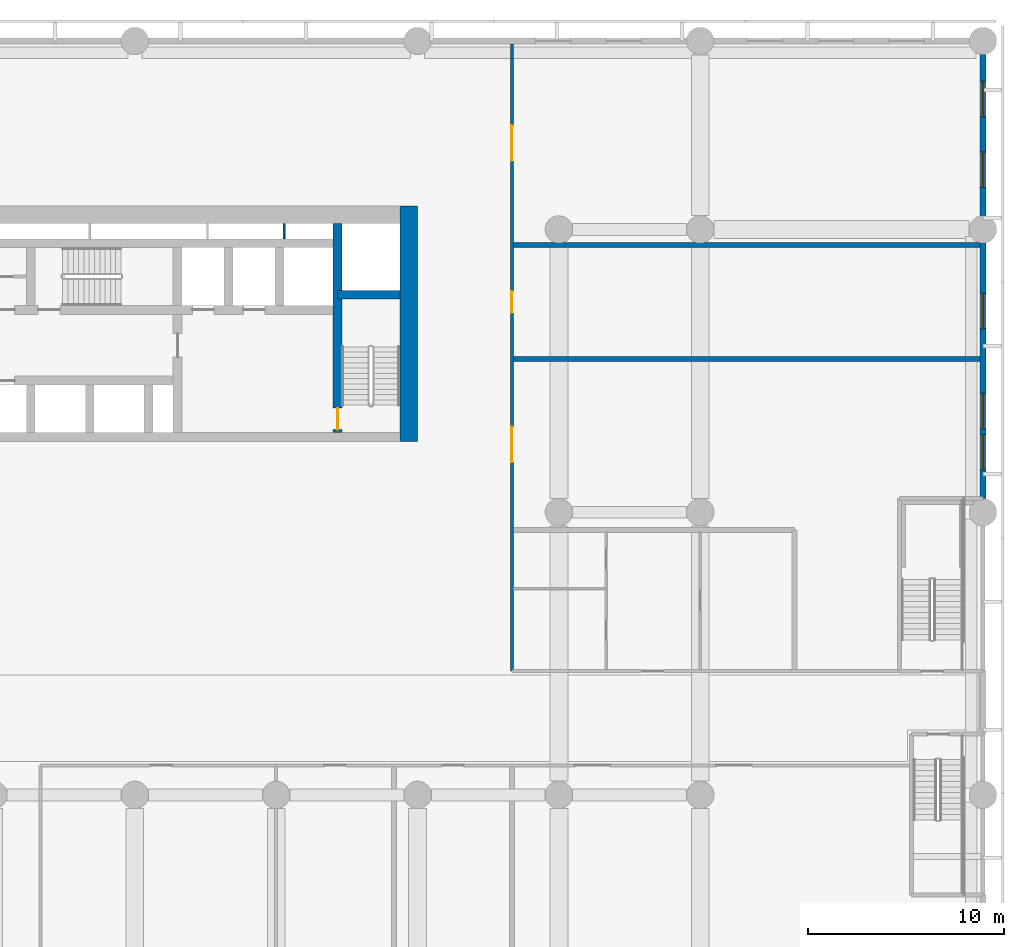
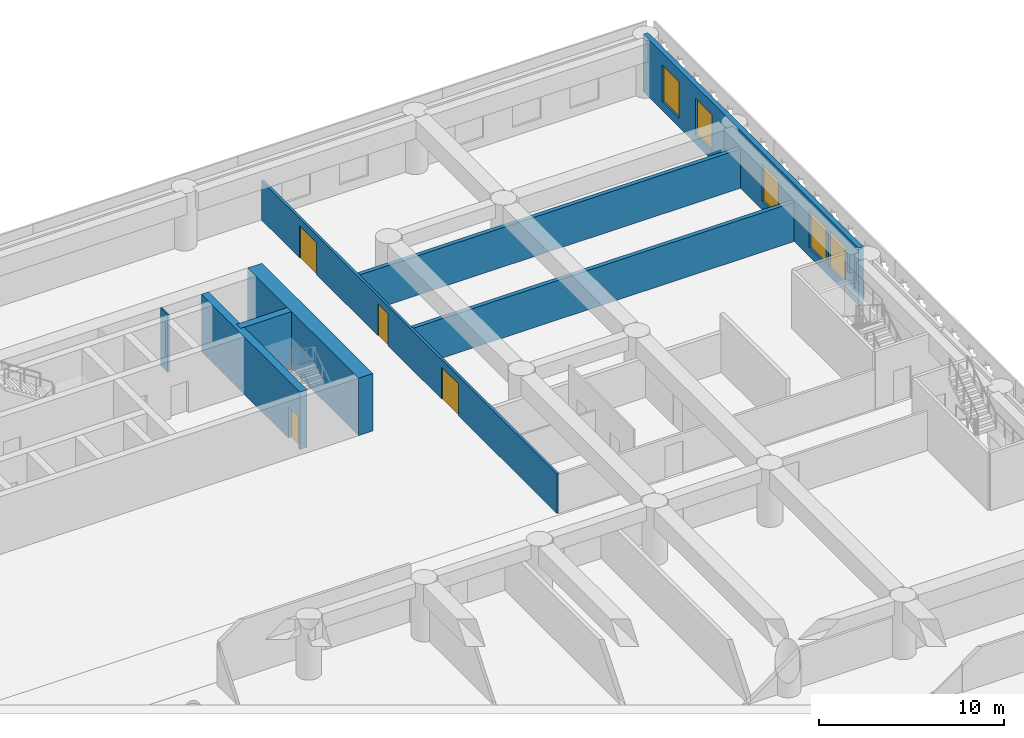
# One storey, part 9 of 23: 8 walls, 5 windows, 4 doors, 9 openings.
"""IFC4 building model written with IfcOpenShell, lengths in metres."""

from ifc_helpers import new_model, si_unit, direction, frame, frame_2d, origin, place, context, subcontext, project, spatial, rectangle, extrude, material, layer, layer_set, type_object, element, fill, save


model = new_model("IFC4")

# Units and contexts
model_context = context("Model", 3, precision=1e-05, world=origin(), true_north=direction((0.0, 1.0)))
body_context = subcontext(model_context, "Body", "Model", "MODEL_VIEW")
ifc_project = project(units=[si_unit("LENGTHUNIT", "METRE"), si_unit("AREAUNIT", "SQUARE_METRE"), si_unit("VOLUMEUNIT", "CUBIC_METRE"), si_unit("PLANEANGLEUNIT", "RADIAN"), si_unit("MASSUNIT", "GRAM", prefix="KILO")], contexts=[model_context])

# Site, building, storey
site_placement = place(None, origin())
site = spatial("IfcSite", under=ifc_project, at=site_placement, CompositionType="ELEMENT")
building_placement = place(site_placement, origin())
building = spatial("IfcBuilding", under=site, at=building_placement, Name="Saffron Iwan Residences", CompositionType="ELEMENT")
storey_placement = place(building_placement, frame((0.0, 0.0, 17.39990234375)))
storey = spatial("IfcBuildingStorey", under=building, at=storey_placement, Name="L03", CompositionType="ELEMENT", Elevation=17.39990234375)

# Wall, openings, doors
ifc_material_1 = material(Name="Concrete blockwork", Category="masonry")
ifc_layer_1 = layer(ifc_material_1, 0.14990234375)
ifc_layer_set_1 = layer_set([ifc_layer_1], Name="Concrete blockwork")
wall_type_1 = type_object("IfcWallType", Name="Blockwork partition 150", PredefinedType="PARTITIONING", material=ifc_layer_set_1)
wall_1_placement = place(storey_placement, frame((76.800048828125, 54.300048828125, 0.0), z_axis=(0.0, 0.0, 1.0), x_axis=(0.0, 1.0, 0.0)))
wall_1 = element("IfcWall", 1, at=wall_1_placement, inside=storey, type_object=wall_type_1, Name="W-L03-041", PredefinedType="PARTITIONING", context=body_context, shape_type="SweptSolid", body=[
    extrude(rectangle(XDim=31.949951171875, YDim=0.14990234375, at=frame_2d((15.97509765625, 0.0))), origin(), (0.0, 0.0, 1.0), 2.60009765625),
])
opening_1_placement = place(wall_1_placement, frame((10.64990234375, 0.0, 0.0)))
opening_1 = element("IfcOpeningElement", 2, at=opening_1_placement, cuts=wall_1, Name="Opening L03.19", PredefinedType="OPENING", context=body_context, shape_type="SweptSolid", body=[
    extrude(rectangle(XDim=1.800048828125, YDim=2.10009765625, at=frame_2d((0.89990234375, 1.050048828125))), frame((0.0, 0.0849609375, 0.0), z_axis=(0.0, -1.0, 0.0), x_axis=(1.0, 0.0, 0.0)), (0.0, 0.0, 1.0), 0.169921875),
])
opening_2_placement = place(wall_1_placement, frame((18.25, 0.0, 0.0)))
opening_2 = element("IfcOpeningElement", 3, at=opening_2_placement, cuts=wall_1, Name="Opening L03.20", PredefinedType="OPENING", context=body_context, shape_type="SweptSolid", body=[
    extrude(rectangle(XDim=1.10009765625, YDim=2.10009765625, at=frame_2d((0.550048828125, 1.050048828125))), frame((0.0, 0.0849609375, 0.0), z_axis=(0.0, -1.0, 0.0), x_axis=(1.0, 0.0, 0.0)), (0.0, 0.0, 1.0), 0.169921875),
])
opening_3_placement = place(wall_1_placement, frame((26.0, 0.0, 0.0)))
opening_3 = element("IfcOpeningElement", 4, at=opening_3_placement, cuts=wall_1, Name="Opening L03.21", PredefinedType="OPENING", context=body_context, shape_type="SweptSolid", body=[
    extrude(rectangle(XDim=1.800048828125, YDim=2.10009765625, at=frame_2d((0.89990234375, 1.050048828125))), frame((0.0, 0.0849609375, 0.0), z_axis=(0.0, -1.0, 0.0), x_axis=(1.0, 0.0, 0.0)), (0.0, 0.0, 1.0), 0.169921875),
])
ifc_material_2 = material(Name="Timber", Category="wood")
door_type_1 = type_object("IfcDoorType", Name="Door 1100x2100", OperationType="NOTDEFINED", PredefinedType="DOOR", material=ifc_material_2)
door_1_placement = place(opening_2_placement, origin())
door_1 = element("IfcDoor", 5, at=door_1_placement, inside=storey, type_object=door_type_1, Name="D-L03-020", OperationType="SINGLE_SWING_RIGHT", OverallHeight=2.10009765625, OverallWidth=1.10009765625, PredefinedType="DOOR", context=body_context, shape_type="SweptSolid", body=[
    extrude(rectangle(XDim=1.10009765625, YDim=2.10009765625, at=frame_2d((0.550048828125, 1.050048828125))), frame((0.0, 0.02490234375, 0.0), z_axis=(0.0, -1.0, 0.0), x_axis=(1.0, 0.0, 0.0)), (0.0, 0.0, 1.0), 0.050048828125),
])
fill(opening_2, door_1)
door_type_2 = type_object("IfcDoorType", Name="Door 1800x2100", OperationType="DOUBLE_DOOR_SINGLE_SWING", PredefinedType="DOOR", material=ifc_material_2)
door_2_placement = place(opening_1_placement, origin())
door_2 = element("IfcDoor", 6, at=door_2_placement, inside=storey, type_object=door_type_2, Name="D-L03-019", OperationType="DOUBLE_DOOR_SINGLE_SWING", OverallHeight=2.10009765625, OverallWidth=1.800048828125, PredefinedType="DOOR", context=body_context, shape_type="SweptSolid", body=[
    extrude(rectangle(XDim=1.800048828125, YDim=2.10009765625, at=frame_2d((0.89990234375, 1.050048828125))), frame((0.0, 0.02490234375, 0.0), z_axis=(0.0, -1.0, 0.0), x_axis=(1.0, 0.0, 0.0)), (0.0, 0.0, 1.0), 0.050048828125),
])
fill(opening_1, door_2)
door_3_placement = place(opening_3_placement, origin())
door_3 = element("IfcDoor", 7, at=door_3_placement, inside=storey, type_object=door_type_2, Name="D-L03-021", OperationType="DOUBLE_DOOR_SINGLE_SWING", OverallHeight=2.10009765625, OverallWidth=1.800048828125, PredefinedType="DOOR", context=body_context, shape_type="SweptSolid", body=[
    extrude(rectangle(XDim=1.800048828125, YDim=2.10009765625, at=frame_2d((0.89990234375, 1.050048828125))), frame((0.0, 0.02490234375, 0.0), z_axis=(0.0, -1.0, 0.0), x_axis=(1.0, 0.0, 0.0)), (0.0, 0.0, 1.0), 0.050048828125),
])
fill(opening_3, door_3)

# Walls
ifc_material_3 = material(Name="Concrete C40/50", Category="concrete")
ifc_layer_2 = layer(ifc_material_3, 0.25)
ifc_layer_set_2 = layer_set([ifc_layer_2], Name="Concrete C40/50")
wall_type_2 = type_object("IfcWallType", Name="Fire compartment wall 250", PredefinedType="SOLIDWALL", material=ifc_layer_set_2)
for number, where, z_axis, x_axis, name in (
    (8, (76.875, 70.199951171875, 0.0), (0.0, 0.0, 1.0), (1.0, 0.0, 0.0), "W-L03-022"),
    (9, (76.875, 76.0, 0.0), (0.0, 0.0, 1.0), (1.0, 0.0, 0.0), "W-L03-023"),
):
    element("IfcWall", number, at=place(storey_placement, frame(where, z_axis=z_axis, x_axis=x_axis)), inside=storey, type_object=wall_type_2, Name=name, PredefinedType="SOLIDWALL", context=body_context, shape_type="SweptSolid", body=[
        extrude(rectangle(XDim=23.77490234375, YDim=0.25, at=frame_2d((11.887451171875, 0.0))), origin(), (0.0, 0.0, 1.0), 2.60009765625),
    ])

# Wall, openings, windows
ifc_material_4 = material(Name="Precast concrete C40/50", Category="concrete")
ifc_layer_3 = layer(ifc_material_4, 0.300048828125)
ifc_layer_set_3 = layer_set([ifc_layer_3], Name="Precast concrete C40/50")
wall_type_3 = type_object("IfcWallType", Name="Podium external wall 300", PredefinedType="SOLIDWALL", material=ifc_layer_set_3)
wall_2_placement = place(storey_placement, frame((100.800048828125, 63.10009765625, 0.0), z_axis=(0.0, 0.0, 1.0), x_axis=(0.0, 1.0, 0.0)))
wall_2 = element("IfcWall", 10, at=wall_2_placement, inside=storey, type_object=wall_type_3, Name="W-L03-050", PredefinedType="SOLIDWALL", context=body_context, shape_type="SweptSolid", body=[
    extrude(rectangle(XDim=23.2998046875, YDim=0.300048828125, at=frame_2d((11.64990234375, 0.0))), origin(), (0.0, 0.0, 1.0), 3.800048828125),
])
opening_4_placement = place(wall_2_placement, frame((1.449951171875, 0.0, 0.60009765625)))
opening_4 = element("IfcOpeningElement", 11, at=opening_4_placement, cuts=wall_2, Name="Opening W7", PredefinedType="OPENING", context=body_context, shape_type="SweptSolid", body=[
    extrude(rectangle(XDim=1.800048828125, YDim=2.39990234375, at=frame_2d((0.89990234375, 1.199951171875))), frame((0.0, 0.16015625, 0.0), z_axis=(0.0, -1.0, 0.0), x_axis=(1.0, 0.0, 0.0)), (0.0, 0.0, 1.0), 0.320068359375),
])
opening_5_placement = place(wall_2_placement, frame((3.550048828125, 0.0, 0.60009765625)))
opening_5 = element("IfcOpeningElement", 12, at=opening_5_placement, cuts=wall_2, Name="Opening W7", PredefinedType="OPENING", context=body_context, shape_type="SweptSolid", body=[
    extrude(rectangle(XDim=1.800048828125, YDim=2.39990234375, at=frame_2d((0.89990234375, 1.199951171875))), frame((0.0, 0.16015625, 0.0), z_axis=(0.0, -1.0, 0.0), x_axis=(1.0, 0.0, 0.0)), (0.0, 0.0, 1.0), 0.320068359375),
])
opening_6_placement = place(wall_2_placement, frame((8.64990234375, 0.0, 0.60009765625)))
opening_6 = element("IfcOpeningElement", 13, at=opening_6_placement, cuts=wall_2, Name="Opening W7", PredefinedType="OPENING", context=body_context, shape_type="SweptSolid", body=[
    extrude(rectangle(XDim=1.800048828125, YDim=2.39990234375, at=frame_2d((0.89990234375, 1.199951171875))), frame((0.0, 0.16015625, 0.0), z_axis=(0.0, -1.0, 0.0), x_axis=(1.0, 0.0, 0.0)), (0.0, 0.0, 1.0), 0.320068359375),
])
opening_7_placement = place(wall_2_placement, frame((15.85009765625, 0.0, 0.60009765625)))
opening_7 = element("IfcOpeningElement", 14, at=opening_7_placement, cuts=wall_2, Name="Opening W7", PredefinedType="OPENING", context=body_context, shape_type="SweptSolid", body=[
    extrude(rectangle(XDim=1.800048828125, YDim=2.39990234375, at=frame_2d((0.89990234375, 1.199951171875))), frame((0.0, 0.16015625, 0.0), z_axis=(0.0, -1.0, 0.0), x_axis=(1.0, 0.0, 0.0)), (0.0, 0.0, 1.0), 0.320068359375),
])
opening_8_placement = place(wall_2_placement, frame((19.449951171875, 0.0, 0.60009765625)))
opening_8 = element("IfcOpeningElement", 15, at=opening_8_placement, cuts=wall_2, Name="Opening W7", PredefinedType="OPENING", context=body_context, shape_type="SweptSolid", body=[
    extrude(rectangle(XDim=1.800048828125, YDim=2.39990234375, at=frame_2d((0.89990234375, 1.199951171875))), frame((0.0, 0.16015625, 0.0), z_axis=(0.0, -1.0, 0.0), x_axis=(1.0, 0.0, 0.0)), (0.0, 0.0, 1.0), 0.320068359375),
])
ifc_material_5 = material(Name="Clear glass, laminated double glazed", Category="glass")
window_type = type_object("IfcWindowType", Name="WINDOW 1800 x 2400 PODIUM", PartitioningType="DOUBLE_PANEL_VERTICAL", PredefinedType="WINDOW", material=ifc_material_5)
window_1_placement = place(opening_4_placement, origin())
window_1 = element("IfcWindow", 16, at=window_1_placement, inside=storey, type_object=window_type, Name="Window L03 W-L03-050.0", OverallHeight=2.39990234375, OverallWidth=1.800048828125, PartitioningType="DOUBLE_PANEL_VERTICAL", PredefinedType="WINDOW", context=body_context, shape_type="SweptSolid", body=[
    extrude(rectangle(XDim=1.800048828125, YDim=2.39990234375, at=frame_2d((0.89990234375, 1.199951171875))), frame((0.0, 0.030029296875, 0.0), z_axis=(0.0, -1.0, 0.0), x_axis=(1.0, 0.0, 0.0)), (0.0, 0.0, 1.0), 0.06005859375),
])
fill(opening_4, window_1)
window_2_placement = place(opening_5_placement, origin())
window_2 = element("IfcWindow", 17, at=window_2_placement, inside=storey, type_object=window_type, Name="Window L03 W-L03-050.1", OverallHeight=2.39990234375, OverallWidth=1.800048828125, PartitioningType="DOUBLE_PANEL_VERTICAL", PredefinedType="WINDOW", context=body_context, shape_type="SweptSolid", body=[
    extrude(rectangle(XDim=1.800048828125, YDim=2.39990234375, at=frame_2d((0.89990234375, 1.199951171875))), frame((0.0, 0.030029296875, 0.0), z_axis=(0.0, -1.0, 0.0), x_axis=(1.0, 0.0, 0.0)), (0.0, 0.0, 1.0), 0.06005859375),
])
fill(opening_5, window_2)
window_3_placement = place(opening_6_placement, origin())
window_3 = element("IfcWindow", 18, at=window_3_placement, inside=storey, type_object=window_type, Name="Window L03 W-L03-050.2", OverallHeight=2.39990234375, OverallWidth=1.800048828125, PartitioningType="DOUBLE_PANEL_VERTICAL", PredefinedType="WINDOW", context=body_context, shape_type="SweptSolid", body=[
    extrude(rectangle(XDim=1.800048828125, YDim=2.39990234375, at=frame_2d((0.89990234375, 1.199951171875))), frame((0.0, 0.030029296875, 0.0), z_axis=(0.0, -1.0, 0.0), x_axis=(1.0, 0.0, 0.0)), (0.0, 0.0, 1.0), 0.06005859375),
])
fill(opening_6, window_3)
window_4_placement = place(opening_7_placement, origin())
window_4 = element("IfcWindow", 19, at=window_4_placement, inside=storey, type_object=window_type, Name="Window L03 W-L03-050.3", OverallHeight=2.39990234375, OverallWidth=1.800048828125, PartitioningType="DOUBLE_PANEL_VERTICAL", PredefinedType="WINDOW", context=body_context, shape_type="SweptSolid", body=[
    extrude(rectangle(XDim=1.800048828125, YDim=2.39990234375, at=frame_2d((0.89990234375, 1.199951171875))), frame((0.0, 0.030029296875, 0.0), z_axis=(0.0, -1.0, 0.0), x_axis=(1.0, 0.0, 0.0)), (0.0, 0.0, 1.0), 0.06005859375),
])
fill(opening_7, window_4)
window_5_placement = place(opening_8_placement, origin())
window_5 = element("IfcWindow", 20, at=window_5_placement, inside=storey, type_object=window_type, Name="Window L03 W-L03-050.4", OverallHeight=2.39990234375, OverallWidth=1.800048828125, PartitioningType="DOUBLE_PANEL_VERTICAL", PredefinedType="WINDOW", context=body_context, shape_type="SweptSolid", body=[
    extrude(rectangle(XDim=1.800048828125, YDim=2.39990234375, at=frame_2d((0.89990234375, 1.199951171875))), frame((0.0, 0.030029296875, 0.0), z_axis=(0.0, -1.0, 0.0), x_axis=(1.0, 0.0, 0.0)), (0.0, 0.0, 1.0), 0.06005859375),
])
fill(opening_8, window_5)

# Walls
ifc_material_6 = material(Name="Fire-rated plasterboard partition")
ifc_layer_4 = layer(ifc_material_6, 0.10009765625)
ifc_layer_set_4 = layer_set([ifc_layer_4], Name="Fire-rated plasterboard partition")
wall_type_4 = type_object("IfcWallType", Name="Riser partition 100", PredefinedType="PARTITIONING", material=ifc_layer_set_4)
wall_3_placement = place(storey_placement, frame((65.199951171875, 76.324951171875, 0.0), z_axis=(0.0, 0.0, 1.0), x_axis=(0.0, 1.0, 0.0)))
element("IfcWall", 21, at=wall_3_placement, inside=storey, type_object=wall_type_4, Name="Core partition P10", PredefinedType="PARTITIONING", context=body_context, shape_type="SweptSolid", body=[
    extrude(rectangle(XDim=0.775146484375, YDim=0.10009765625, at=frame_2d((0.3876953125, 0.0))), origin(), (0.0, 0.0, 1.0), 3.800048828125),
])
ifc_material_7 = material(Name="Concrete C60/75", Category="concrete")
ifc_layer_5 = layer(ifc_material_7, 0.449951171875)
ifc_layer_set_5 = layer_set([ifc_layer_5], Name="Concrete C60/75")
wall_type_5 = type_object("IfcWallType", Name="WALL CORE 450 C60/75 3800 HIGH", PredefinedType="SHEAR", material=ifc_layer_set_5)
wall_4_placement = place(storey_placement, frame((67.925048828125, 73.47509765625, 0.0), z_axis=(0.0, 0.0, 1.0), x_axis=(1.0, 0.0, 0.0)))
element("IfcWall", 22, at=wall_4_placement, inside=storey, type_object=wall_type_5, Name="Core wall", PredefinedType="SHEAR", context=body_context, shape_type="SweptSolid", body=[
    extrude(rectangle(XDim=3.175048828125, YDim=0.449951171875, at=frame_2d((1.58740234375, 0.0))), origin(), (0.0, 0.0, 1.0), 3.800048828125),
])

# Wall, opening, door
wall_5_placement = place(storey_placement, frame((67.925048828125, 66.449951171875, 0.0), z_axis=(0.0, 0.0, 1.0), x_axis=(0.0, 1.0, 0.0)))
wall_5 = element("IfcWall", 23, at=wall_5_placement, inside=storey, type_object=wall_type_5, Name="Core wall", PredefinedType="SHEAR", context=body_context, shape_type="SweptSolid", body=[
    extrude(rectangle(XDim=10.650146484375, YDim=0.449951171875, at=frame_2d((5.3251953125, 0.0))), origin(), (0.0, 0.0, 1.0), 3.800048828125),
])
opening_9_placement = place(wall_5_placement, frame((0.14990234375, 0.0, 0.0)))
opening_9 = element("IfcOpeningElement", 24, at=opening_9_placement, cuts=wall_5, Name="Opening SD", PredefinedType="OPENING", context=body_context, shape_type="SweptSolid", body=[
    extrude(rectangle(XDim=1.10009765625, YDim=2.10009765625, at=frame_2d((0.550048828125, 1.050048828125))), frame((0.0, 0.23486328125, 0.0), z_axis=(0.0, -1.0, 0.0), x_axis=(1.0, 0.0, 0.0)), (0.0, 0.0, 1.0), 0.469970703125),
])
ifc_material_8 = material(Name="Steel fire door", Category="steel")
door_type_3 = type_object("IfcDoorType", Name="Stair door 1100", OperationType="NOTDEFINED", PredefinedType="DOOR", material=ifc_material_8)
door_4_placement = place(opening_9_placement, origin())
door_4 = element("IfcDoor", 25, at=door_4_placement, inside=storey, type_object=door_type_3, Name="Stair door ST-E", OperationType="SINGLE_SWING_LEFT", OverallHeight=2.10009765625, OverallWidth=1.10009765625, PredefinedType="DOOR", context=body_context, shape_type="SweptSolid", body=[
    extrude(rectangle(XDim=1.10009765625, YDim=2.10009765625, at=frame_2d((0.550048828125, 1.050048828125))), frame((0.0, 0.02490234375, 0.0), z_axis=(0.0, -1.0, 0.0), x_axis=(1.0, 0.0, 0.0)), (0.0, 0.0, 1.0), 0.050048828125),
])
fill(opening_9, door_4)

# Wall
ifc_layer_6 = layer(ifc_material_7, 0.89990234375)
ifc_layer_set_6 = layer_set([ifc_layer_6], Name="Concrete C60/75")
wall_type_6 = type_object("IfcWallType", Name="WALL CORE 900 C60/75 3800 HIGH", PredefinedType="SHEAR", material=ifc_layer_set_6)
wall_6_placement = place(storey_placement, frame((71.550048828125, 66.0, 0.0), z_axis=(0.0, 0.0, 1.0), x_axis=(0.0, 1.0, 0.0)))
element("IfcWall", 26, at=wall_6_placement, inside=storey, type_object=wall_type_6, Name="Core wall", PredefinedType="SHEAR", context=body_context, shape_type="SweptSolid", body=[
    extrude(rectangle(XDim=12.0, YDim=0.89990234375, at=frame_2d((6.0, 0.0))), origin(), (0.0, 0.0, 1.0), 3.800048828125),
])

save(model, "model.ifc")
